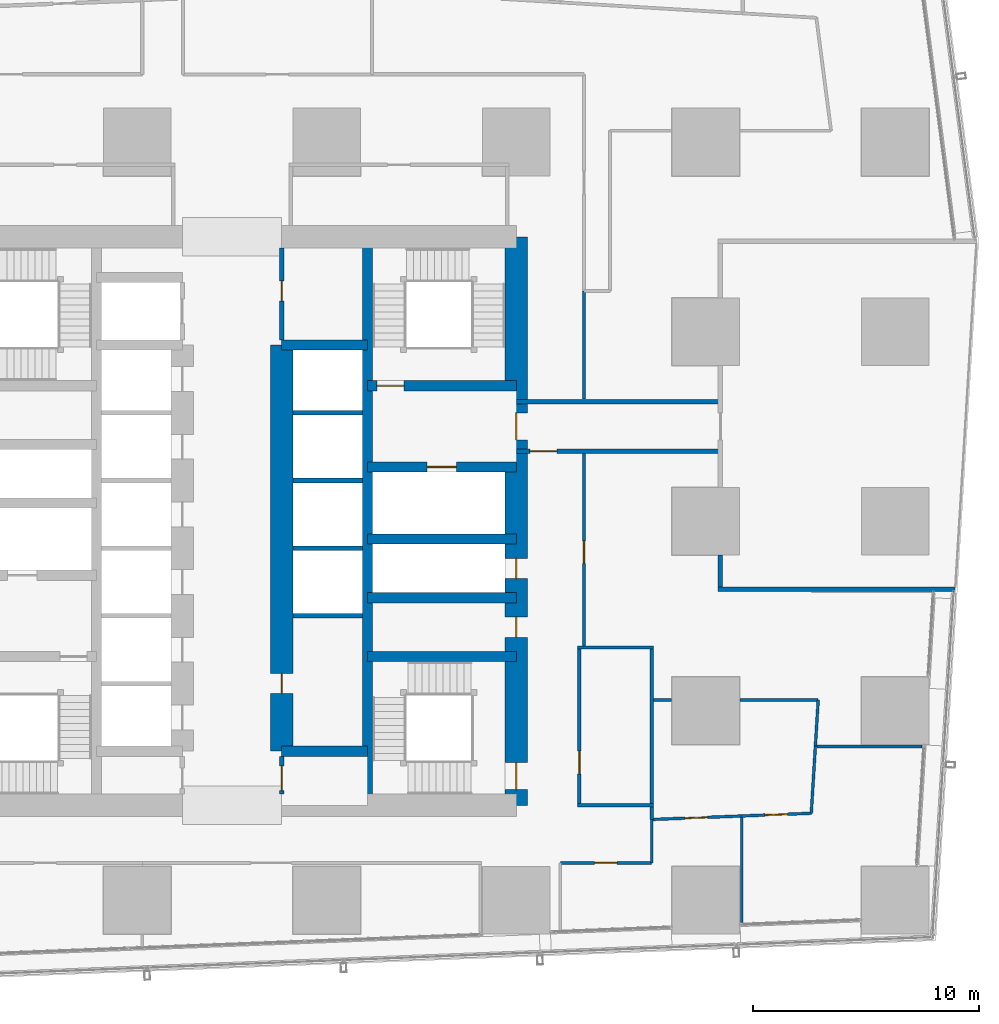
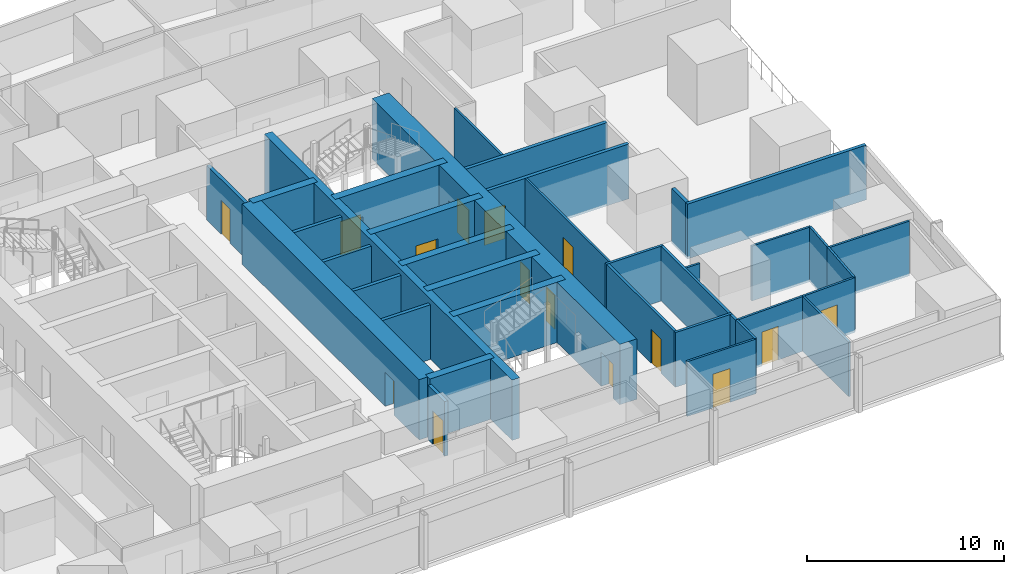
# One storey, part 28 of 38: 37 walls, 15 doors, 15 openings.
"""IFC4 building model written with IfcOpenShell, lengths in metres."""

from ifc_helpers import new_model, si_unit, direction, frame, frame_2d, origin, place, context, subcontext, project, spatial, rectangle, extrude, material, layer, layer_set, type_object, element, fill, save


model = new_model("IFC4")

# Units and contexts
model_context = context("Model", 3, precision=1e-05, world=origin(), true_north=direction((0.0, 1.0)))
body_context = subcontext(model_context, "Body", "Model", "MODEL_VIEW")
ifc_project = project(units=[si_unit("LENGTHUNIT", "METRE"), si_unit("AREAUNIT", "SQUARE_METRE"), si_unit("VOLUMEUNIT", "CUBIC_METRE"), si_unit("PLANEANGLEUNIT", "RADIAN"), si_unit("MASSUNIT", "GRAM", prefix="KILO")], contexts=[model_context])

# Site, building, storey
site_placement = place(None, origin())
site = spatial("IfcSite", under=ifc_project, at=site_placement, CompositionType="ELEMENT")
building_placement = place(site_placement, origin())
building = spatial("IfcBuilding", under=site, at=building_placement, Name="Rekha Terrace Tower", CompositionType="ELEMENT")
storey_placement = place(building_placement, frame((0.0, 0.0, 159.050048828125)))
storey = spatial("IfcBuildingStorey", under=building, at=storey_placement, Name="L40", CompositionType="ELEMENT", Elevation=159.050048828125)

# Walls
ifc_material_1 = material(Name="Concrete M70", Category="concrete")
ifc_layer_1 = layer(ifc_material_1, 0.449951171875)
ifc_layer_set_1 = layer_set([ifc_layer_1], Name="Concrete M70")
wall_type_1 = type_object("IfcWallType", Name="CI2 450 core internal shear wall", PredefinedType="SHEAR", material=ifc_layer_set_1)
wall_1_placement = place(storey_placement, frame((43.800048828125, 21.0, 0.0), z_axis=(0.0, 0.0, 1.0), x_axis=(0.0, 1.0, 0.0)))
element("IfcWall", 1, at=wall_1_placement, inside=storey, type_object=wall_type_1, Name="Core wall X438 L40", PredefinedType="SHEAR", context=body_context, shape_type="SweptSolid", body=[
    extrude(rectangle(XDim=25.199951171875, YDim=0.449951171875, at=frame_2d((12.60009765625, 0.0))), origin(), (0.0, 0.0, 1.0), 3.75),
])
for number, where, z_axis, x_axis, name in (
    (2, (40.0, 23.39990234375, 0.0), (0.0, 0.0, 1.0), (1.0, 0.0, 0.0), "Core wall Y234E L40"),
    (3, (40.0, 41.39990234375, 0.0), (0.0, 0.0, 1.0), (1.0, 0.0, 0.0), "Core wall Y414E L40"),
):
    element("IfcWall", number, at=place(storey_placement, frame(where, z_axis=z_axis, x_axis=x_axis)), inside=storey, type_object=wall_type_1, Name=name, PredefinedType="SHEAR", context=body_context, shape_type="SweptSolid", body=[
        extrude(rectangle(XDim=3.800048828125, YDim=0.449951171875, at=frame_2d((1.89990234375, 0.0))), origin(), (0.0, 0.0, 1.0), 3.75),
    ])
for number, where, z_axis, x_axis, name in (
    (4, (43.800048828125, 27.60009765625, 0.0), (0.0, 0.0, 1.0), (1.0, 0.0, 0.0), "Core wall Y276E L40"),
    (5, (43.800048828125, 30.199951171875, 0.0), (0.0, 0.0, 1.0), (1.0, 0.0, 0.0), "Core wall Y302E L40"),
    (6, (43.800048828125, 32.800048828125, 0.0), (0.0, 0.0, 1.0), (1.0, 0.0, 0.0), "Core wall Y328E L40"),
):
    element("IfcWall", number, at=place(storey_placement, frame(where, z_axis=z_axis, x_axis=x_axis)), inside=storey, type_object=wall_type_1, Name=name, PredefinedType="SHEAR", context=body_context, shape_type="SweptSolid", body=[
        extrude(rectangle(XDim=6.599853515625, YDim=0.449951171875, at=frame_2d((3.2998046875, 0.0))), origin(), (0.0, 0.0, 1.0), 3.75),
    ])

# Wall, opening, door
wall_2_placement = place(storey_placement, frame((43.800048828125, 36.0, 0.0), z_axis=(0.0, 0.0, 1.0), x_axis=(1.0, 0.0, 0.0)))
wall_2 = element("IfcWall", 7, at=wall_2_placement, inside=storey, type_object=wall_type_1, Name="Core wall Y360E L40", PredefinedType="SHEAR", context=body_context, shape_type="SweptSolid", body=[
    extrude(rectangle(XDim=6.599853515625, YDim=0.449951171875, at=frame_2d((3.2998046875, 0.0))), origin(), (0.0, 0.0, 1.0), 3.75),
])
opening_1_placement = place(wall_2_placement, frame((2.64990234375, 0.0, 0.0)))
opening_1 = element("IfcOpeningElement", 8, at=opening_1_placement, cuts=wall_2, Name="Opening LD2", PredefinedType="OPENING", context=body_context, shape_type="SweptSolid", body=[
    extrude(rectangle(XDim=1.300048828125, YDim=2.10009765625, at=frame_2d((0.64990234375, 1.050048828125))), frame((0.0, 0.23486328125, 0.0), z_axis=(0.0, -1.0, 0.0), x_axis=(1.0, 0.0, 0.0)), (0.0, 0.0, 1.0), 0.469970703125),
])
ifc_material_2 = material(Name="Stainless steel sliding landing door", Category="steel")
door_type_1 = type_object("IfcDoorType", Name="LD2 1300x2100 fire lift landing door", OperationType="SLIDING_TO_LEFT", PredefinedType="USERDEFINED", material=ifc_material_2)
door_1_placement = place(opening_1_placement, origin())
door_1 = element("IfcDoor", 9, at=door_1_placement, inside=storey, type_object=door_type_1, Name="Lift FL2 landing door L40", ObjectType="LIFT LANDING DOOR", OperationType="SLIDING_TO_LEFT", OverallHeight=2.10009765625, OverallWidth=1.300048828125, PredefinedType="USERDEFINED", context=body_context, shape_type="SweptSolid", body=[
    extrude(rectangle(XDim=1.300048828125, YDim=2.10009765625, at=frame_2d((0.64990234375, 1.050048828125))), frame((0.0, 0.02490234375, 0.0), z_axis=(0.0, -1.0, 0.0), x_axis=(1.0, 0.0, 0.0)), (0.0, 0.0, 1.0), 0.050048828125),
])
fill(opening_1, door_1)

wall_3_placement = place(storey_placement, frame((43.800048828125, 39.60009765625, 0.0), z_axis=(0.0, 0.0, 1.0), x_axis=(1.0, 0.0, 0.0)))
wall_3 = element("IfcWall", 10, at=wall_3_placement, inside=storey, type_object=wall_type_1, Name="Core wall Y396E L40", PredefinedType="SHEAR", context=body_context, shape_type="SweptSolid", body=[
    extrude(rectangle(XDim=6.599853515625, YDim=0.449951171875, at=frame_2d((3.2998046875, 0.0))), origin(), (0.0, 0.0, 1.0), 3.75),
])
opening_2_placement = place(wall_3_placement, frame((0.425048828125, 0.0, 0.0)))
opening_2 = element("IfcOpeningElement", 11, at=opening_2_placement, cuts=wall_3, Name="Opening D1", PredefinedType="OPENING", context=body_context, shape_type="SweptSolid", body=[
    extrude(rectangle(XDim=1.199951171875, YDim=2.10009765625, at=frame_2d((0.60009765625, 1.050048828125))), frame((0.0, 0.23486328125, 0.0), z_axis=(0.0, -1.0, 0.0), x_axis=(1.0, 0.0, 0.0)), (0.0, 0.0, 1.0), 0.469970703125),
])
ifc_material_3 = material(Name="Steel fire door", Category="steel")
door_type_2 = type_object("IfcDoorType", Name="D1 1200x2100 stair fire door", OperationType="SINGLE_SWING_RIGHT", PredefinedType="DOOR", material=ifc_material_3)
door_2_placement = place(opening_2_placement, origin())
door_2 = element("IfcDoor", 12, at=door_2_placement, inside=storey, type_object=door_type_2, Name="Stair ST2 door L40", OperationType="SINGLE_SWING_RIGHT", OverallHeight=2.10009765625, OverallWidth=1.199951171875, PredefinedType="DOOR", context=body_context, shape_type="SweptSolid", body=[
    extrude(rectangle(XDim=1.199951171875, YDim=2.10009765625, at=frame_2d((0.60009765625, 1.050048828125))), frame((0.0, 0.02490234375, 0.0), z_axis=(0.0, -1.0, 0.0), x_axis=(1.0, 0.0, 0.0)), (0.0, 0.0, 1.0), 0.050048828125),
])
fill(opening_2, door_2)

ifc_layer_2 = layer(ifc_material_1, 1.0)
ifc_layer_set_2 = layer_set([ifc_layer_2], Name="Concrete M70")
wall_type_2 = type_object("IfcWallType", Name="LW2 1000 core lobby wall at an outrigger level", PredefinedType="SHEAR", material=ifc_layer_set_2)
wall_4_placement = place(storey_placement, frame((40.0, 23.39990234375, 0.0), z_axis=(0.0, 0.0, 1.0), x_axis=(0.0, 1.0, 0.0)))
wall_4 = element("IfcWall", 13, at=wall_4_placement, inside=storey, type_object=wall_type_2, Name="Core wall X400 L40", PredefinedType="SHEAR", context=body_context, shape_type="SweptSolid", body=[
    extrude(rectangle(XDim=18.0, YDim=1.0, at=frame_2d((9.0, 0.0))), origin(), (0.0, 0.0, 1.0), 3.75),
])
opening_3_placement = place(wall_4_placement, frame((2.550048828125, 0.0, 0.0)))
opening_3 = element("IfcOpeningElement", 14, at=opening_3_placement, cuts=wall_4, Name="Opening D5", PredefinedType="OPENING", context=body_context, shape_type="SweptSolid", body=[
    extrude(rectangle(XDim=0.89990234375, YDim=2.10009765625, at=frame_2d((0.449951171875, 1.050048828125))), frame((0.0, 0.510009765625, 0.0), z_axis=(0.0, -1.0, 0.0), x_axis=(1.0, 0.0, 0.0)), (0.0, 0.0, 1.0), 1.02001953125),
])
door_type_3 = type_object("IfcDoorType", Name="D5 900x2100 riser access door", OperationType="SINGLE_SWING_LEFT", PredefinedType="DOOR", material=ifc_material_3)
door_3_placement = place(opening_3_placement, origin())
door_3 = element("IfcDoor", 15, at=door_3_placement, inside=storey, type_object=door_type_3, Name="Door back-of-house store L40", OperationType="SINGLE_SWING_LEFT", OverallHeight=2.10009765625, OverallWidth=0.89990234375, PredefinedType="DOOR", context=body_context, shape_type="SweptSolid", body=[
    extrude(rectangle(XDim=0.89990234375, YDim=2.10009765625, at=frame_2d((0.449951171875, 1.050048828125))), frame((0.0, 0.02490234375, 0.0), z_axis=(0.0, -1.0, 0.0), x_axis=(1.0, 0.0, 0.0)), (0.0, 0.0, 1.0), 0.050048828125),
])
fill(opening_3, door_3)

# Wall, openings, doors
ifc_layer_3 = layer(ifc_material_1, 1.0)
ifc_layer_set_3 = layer_set([ifc_layer_3], Name="Concrete M70")
wall_type_3 = type_object("IfcWallType", Name="SW2 1000 core outer shear wall", PredefinedType="SHEAR", material=ifc_layer_set_3)
wall_5_placement = place(storey_placement, frame((50.39990234375, 21.0, 0.0), z_axis=(0.0, 0.0, 1.0), x_axis=(0.0, 1.0, 0.0)))
wall_5 = element("IfcWall", 16, at=wall_5_placement, inside=storey, type_object=wall_type_3, Name="Core wall E L40", PredefinedType="SHEAR", context=body_context, shape_type="SweptSolid", body=[
    extrude(rectangle(XDim=25.199951171875, YDim=1.0, at=frame_2d((12.60009765625, 0.0))), origin(), (0.0, 0.0, 1.0), 3.75),
])
opening_4_placement = place(wall_5_placement, frame((16.199951171875, 0.0, 0.0)))
opening_4 = element("IfcOpeningElement", 17, at=opening_4_placement, cuts=wall_5, Name="Opening D2", PredefinedType="OPENING", context=body_context, shape_type="SweptSolid", body=[
    extrude(rectangle(XDim=1.199951171875, YDim=2.10009765625, at=frame_2d((0.60009765625, 1.050048828125))), frame((0.0, 0.510009765625, 0.0), z_axis=(0.0, -1.0, 0.0), x_axis=(1.0, 0.0, 0.0)), (0.0, 0.0, 1.0), 1.02001953125),
])
opening_5_placement = place(wall_5_placement, frame((10.050048828125, 0.0, 0.0)))
opening_5 = element("IfcOpeningElement", 18, at=opening_5_placement, cuts=wall_5, Name="Opening D5", PredefinedType="OPENING", context=body_context, shape_type="SweptSolid", body=[
    extrude(rectangle(XDim=0.89990234375, YDim=2.10009765625, at=frame_2d((0.449951171875, 1.050048828125))), frame((0.0, 0.510009765625, 0.0), z_axis=(0.0, -1.0, 0.0), x_axis=(1.0, 0.0, 0.0)), (0.0, 0.0, 1.0), 1.02001953125),
])
opening_6_placement = place(wall_5_placement, frame((7.449951171875, 0.0, 0.0)))
opening_6 = element("IfcOpeningElement", 19, at=opening_6_placement, cuts=wall_5, Name="Opening D5", PredefinedType="OPENING", context=body_context, shape_type="SweptSolid", body=[
    extrude(rectangle(XDim=0.89990234375, YDim=2.10009765625, at=frame_2d((0.449951171875, 1.050048828125))), frame((0.0, 0.510009765625, 0.0), z_axis=(0.0, -1.0, 0.0), x_axis=(1.0, 0.0, 0.0)), (0.0, 0.0, 1.0), 1.02001953125),
])
opening_7_placement = place(wall_5_placement, frame((0.699951171875, 0.0, 0.0)))
opening_7 = element("IfcOpeningElement", 20, at=opening_7_placement, cuts=wall_5, Name="Opening D1", PredefinedType="OPENING", context=body_context, shape_type="SweptSolid", body=[
    extrude(rectangle(XDim=1.199951171875, YDim=2.10009765625, at=frame_2d((0.60009765625, 1.050048828125))), frame((0.0, 0.510009765625, 0.0), z_axis=(0.0, -1.0, 0.0), x_axis=(1.0, 0.0, 0.0)), (0.0, 0.0, 1.0), 1.02001953125),
])
door_4_placement = place(opening_7_placement, origin())
door_4 = element("IfcDoor", 21, at=door_4_placement, inside=storey, type_object=door_type_2, Name="Stair ST3 door L40", OperationType="SINGLE_SWING_RIGHT", OverallHeight=2.10009765625, OverallWidth=1.199951171875, PredefinedType="DOOR", context=body_context, shape_type="SweptSolid", body=[
    extrude(rectangle(XDim=1.199951171875, YDim=2.10009765625, at=frame_2d((0.60009765625, 1.050048828125))), frame((0.0, 0.02490234375, 0.0), z_axis=(0.0, -1.0, 0.0), x_axis=(1.0, 0.0, 0.0)), (0.0, 0.0, 1.0), 0.050048828125),
])
fill(opening_7, door_4)
door_type_4 = type_object("IfcDoorType", Name="D2 1200x2100 firefighting lobby door", OperationType="SINGLE_SWING_LEFT", PredefinedType="DOOR", material=ifc_material_3)
door_5_placement = place(opening_4_placement, origin())
door_5 = element("IfcDoor", 22, at=door_5_placement, inside=storey, type_object=door_type_4, Name="Door flb2 L40", OperationType="SINGLE_SWING_LEFT", OverallHeight=2.10009765625, OverallWidth=1.199951171875, PredefinedType="DOOR", context=body_context, shape_type="SweptSolid", body=[
    extrude(rectangle(XDim=1.199951171875, YDim=2.10009765625, at=frame_2d((0.60009765625, 1.050048828125))), frame((0.0, 0.02490234375, 0.0), z_axis=(0.0, -1.0, 0.0), x_axis=(1.0, 0.0, 0.0)), (0.0, 0.0, 1.0), 0.050048828125),
])
fill(opening_4, door_5)
door_6_placement = place(opening_5_placement, origin())
door_6 = element("IfcDoor", 23, at=door_6_placement, inside=storey, type_object=door_type_3, Name="Door rs2 L40", OperationType="SINGLE_SWING_LEFT", OverallHeight=2.10009765625, OverallWidth=0.89990234375, PredefinedType="DOOR", context=body_context, shape_type="SweptSolid", body=[
    extrude(rectangle(XDim=0.89990234375, YDim=2.10009765625, at=frame_2d((0.449951171875, 1.050048828125))), frame((0.0, 0.02490234375, 0.0), z_axis=(0.0, -1.0, 0.0), x_axis=(1.0, 0.0, 0.0)), (0.0, 0.0, 1.0), 0.050048828125),
])
fill(opening_5, door_6)
door_7_placement = place(opening_6_placement, origin())
door_7 = element("IfcDoor", 24, at=door_7_placement, inside=storey, type_object=door_type_3, Name="Door ele L40", OperationType="SINGLE_SWING_LEFT", OverallHeight=2.10009765625, OverallWidth=0.89990234375, PredefinedType="DOOR", context=body_context, shape_type="SweptSolid", body=[
    extrude(rectangle(XDim=0.89990234375, YDim=2.10009765625, at=frame_2d((0.449951171875, 1.050048828125))), frame((0.0, 0.02490234375, 0.0), z_axis=(0.0, -1.0, 0.0), x_axis=(1.0, 0.0, 0.0)), (0.0, 0.0, 1.0), 0.050048828125),
])
fill(opening_6, door_7)

# Walls
ifc_material_4 = material(Name="Concrete block masonry, 1 hour", Category="masonry")
ifc_layer_4 = layer(ifc_material_4, 0.14990234375)
ifc_layer_set_4 = layer_set([ifc_layer_4], Name="Concrete block masonry, 1 hour")
wall_type_4 = type_object("IfcWallType", Name="WP2 150 tenancy partition", PredefinedType="PARTITIONING", material=ifc_layer_set_4)
for number, where, z_axis, x_axis, name in (
    (25, (53.125, 21.0, 0.0), (0.0, 0.0, 1.0), (1.0, 0.0, 0.0), "Men's WC wall L40"),
    (26, (53.125, 28.0, 0.0), (0.0, 0.0, 1.0), (1.0, 0.0, 0.0), "Men's WC wall L40"),
):
    element("IfcWall", number, at=place(storey_placement, frame(where, z_axis=z_axis, x_axis=x_axis)), inside=storey, type_object=wall_type_4, Name=name, PredefinedType="PARTITIONING", context=body_context, shape_type="SweptSolid", body=[
        extrude(rectangle(XDim=3.35009765625, YDim=0.14990234375, at=frame_2d((1.675048828125, 0.0))), origin(), (0.0, 0.0, 1.0), 3.39990234375),
    ])

# Wall, opening, door
wall_6_placement = place(storey_placement, frame((53.199951171875, 21.074951171875, 0.0), z_axis=(0.0, 0.0, 1.0), x_axis=(0.0, 1.0, 0.0)))
wall_6 = element("IfcWall", 27, at=wall_6_placement, inside=storey, type_object=wall_type_4, Name="Men's WC wall L40", PredefinedType="PARTITIONING", context=body_context, shape_type="SweptSolid", body=[
    extrude(rectangle(XDim=6.85009765625, YDim=0.14990234375, at=frame_2d((3.425048828125, 0.0))), origin(), (0.0, 0.0, 1.0), 3.39990234375),
])
opening_8_placement = place(wall_6_placement, frame((1.324951171875, 0.0, 0.0)))
opening_8 = element("IfcOpeningElement", 28, at=opening_8_placement, cuts=wall_6, Name="Opening D3", PredefinedType="OPENING", context=body_context, shape_type="SweptSolid", body=[
    extrude(rectangle(XDim=1.0, YDim=2.10009765625, at=frame_2d((0.5, 1.050048828125))), frame((0.0, 0.0849609375, 0.0), z_axis=(0.0, -1.0, 0.0), x_axis=(1.0, 0.0, 0.0)), (0.0, 0.0, 1.0), 0.169921875),
])
ifc_material_5 = material(Name="Laminated timber fire door", Category="wood")
door_type_5 = type_object("IfcDoorType", Name="D3 1000x2100 WC door", OperationType="SINGLE_SWING_LEFT", PredefinedType="DOOR", material=ifc_material_5)
door_8_placement = place(opening_8_placement, origin())
door_8 = element("IfcDoor", 29, at=door_8_placement, inside=storey, type_object=door_type_5, Name="Door men's wc L40", OperationType="SINGLE_SWING_LEFT", OverallHeight=2.10009765625, OverallWidth=1.0, PredefinedType="DOOR", context=body_context, shape_type="SweptSolid", body=[
    extrude(rectangle(XDim=1.0, YDim=2.10009765625, at=frame_2d((0.5, 1.050048828125))), frame((0.0, 0.02490234375, 0.0), z_axis=(0.0, -1.0, 0.0), x_axis=(1.0, 0.0, 0.0)), (0.0, 0.0, 1.0), 0.050048828125),
])
fill(opening_8, door_8)

# Walls
wall_7_placement = place(storey_placement, frame((56.39990234375, 21.074951171875, 0.0), z_axis=(0.0, 0.0, 1.0), x_axis=(0.0, 1.0, 0.0)))
element("IfcWall", 30, at=wall_7_placement, inside=storey, type_object=wall_type_4, Name="Men's WC wall L40", PredefinedType="PARTITIONING", context=body_context, shape_type="SweptSolid", body=[
    extrude(rectangle(XDim=6.85009765625, YDim=0.14990234375, at=frame_2d((3.425048828125, 0.0))), origin(), (0.0, 0.0, 1.0), 3.39990234375),
])
wall_8_placement = place(storey_placement, frame((56.39990234375, 20.3740234375, 0.0), z_axis=(0.0, 0.0, 1.0), x_axis=(0.0, 1.0, 0.0)))
element("IfcWall", 31, at=wall_8_placement, inside=storey, type_object=wall_type_4, Name="Partition L40-O3c", PredefinedType="PARTITIONING", context=body_context, shape_type="SweptSolid", body=[
    extrude(rectangle(XDim=0.551025390625, YDim=0.14990234375, at=frame_2d((0.275390625, 0.0))), origin(), (0.0, 0.0, 1.0), 3.39990234375),
])
ifc_material_6 = material(Name="Two layers of fire-rated gypsum board each side on steel studs, acoustic quilt, 1 hour", Category="steel")
ifc_layer_5 = layer(ifc_material_6, 0.125)
ifc_layer_set_5 = layer_set([ifc_layer_5], Name="Two layers of fire-rated gypsum board each side on steel studs, acoustic quilt, 1 hour")
wall_type_5 = type_object("IfcWallType", Name="WP3 125 office partition", PredefinedType="PARTITIONING", material=ifc_layer_set_5)
wall_9_placement = place(storey_placement, frame((53.39990234375, 39.010986328125, 0.0), z_axis=(0.0, 0.0, 1.0), x_axis=(0.0, 1.0, 0.0)))
element("IfcWall", 32, at=wall_9_placement, inside=storey, type_object=wall_type_5, Name="Partition L40-02", PredefinedType="PARTITIONING", context=body_context, shape_type="SweptSolid", body=[
    extrude(rectangle(XDim=4.7900390625, YDim=0.125, at=frame_2d((2.39501953125, 0.0))), origin(), (0.0, 0.0, 1.0), 3.39990234375),
])

# Wall, opening, door
wall_10_placement = place(storey_placement, frame((52.35009765625, 18.449951171875, 0.0), z_axis=(0.0, 0.0, 1.0), x_axis=(1.0, 0.0, 0.0)))
wall_10 = element("IfcWall", 33, at=wall_10_placement, inside=storey, type_object=wall_type_5, Name="Partition L40-10", PredefinedType="PARTITIONING", context=body_context, shape_type="SweptSolid", body=[
    extrude(rectangle(XDim=4.0498046875, YDim=0.125, at=frame_2d((2.02490234375, 0.0))), origin(), (0.0, 0.0, 1.0), 3.39990234375),
])
opening_9_placement = place(wall_10_placement, frame((1.52490234375, 0.0, 0.0)))
opening_9 = element("IfcOpeningElement", 34, at=opening_9_placement, cuts=wall_10, Name="Opening D9", PredefinedType="OPENING", context=body_context, shape_type="SweptSolid", body=[
    extrude(rectangle(XDim=1.0, YDim=2.10009765625, at=frame_2d((0.5, 1.050048828125))), frame((0.0, 0.072509765625, 0.0), z_axis=(0.0, -1.0, 0.0), x_axis=(1.0, 0.0, 0.0)), (0.0, 0.0, 1.0), 0.14501953125),
])
ifc_material_7 = material(Name="Timber fire door", Category="wood")
door_type_6 = type_object("IfcDoorType", Name="D9 1000x2100 office door", OperationType="SINGLE_SWING_LEFT", PredefinedType="DOOR", material=ifc_material_7)
door_9_placement = place(opening_9_placement, origin())
door_9 = element("IfcDoor", 35, at=door_9_placement, inside=storey, type_object=door_type_6, Name="Door quiet room L40", OperationType="SINGLE_SWING_LEFT", OverallHeight=2.10009765625, OverallWidth=1.0, PredefinedType="DOOR", context=body_context, shape_type="SweptSolid", body=[
    extrude(rectangle(XDim=1.0, YDim=2.10009765625, at=frame_2d((0.5, 1.050048828125))), frame((0.0, 0.02490234375, 0.0), z_axis=(0.0, -1.0, 0.0), x_axis=(1.0, 0.0, 0.0)), (0.0, 0.0, 1.0), 0.050048828125),
])
fill(opening_9, door_9)

# Wall
wall_11_placement = place(storey_placement, frame((56.402099609375, 18.449951171875, 0.0), z_axis=(0.0, 0.0, 1.0), x_axis=(0.0, 1.0, 0.0)))
element("IfcWall", 36, at=wall_11_placement, inside=storey, type_object=wall_type_5, Name="Partition L40-11", PredefinedType="PARTITIONING", context=body_context, shape_type="SweptSolid", body=[
    extrude(rectangle(XDim=1.924072265625, YDim=0.125, at=frame_2d((0.9619140625, 0.0))), origin(), (0.0, 0.0, 1.0), 3.39990234375),
])

# Wall, opening, door
wall_12_placement = place(storey_placement, frame((56.402099609375, 20.3740234375, 0.0), z_axis=(0.0, 0.0, 1.0), x_axis=(0.999241819363, 0.03893310207, 0.0)))
wall_12 = element("IfcWall", 37, at=wall_12_placement, inside=storey, type_object=wall_type_5, Name="Partition L40-11", PredefinedType="PARTITIONING", context=body_context, shape_type="SweptSolid", body=[
    extrude(rectangle(XDim=3.956787109375, YDim=0.125, at=frame_2d((1.978515625, 0.0))), origin(), (0.0, 0.0, 1.0), 3.39990234375),
])
opening_10_placement = place(wall_12_placement, frame((1.47802734375, 0.0, 0.0)))
opening_10 = element("IfcOpeningElement", 38, at=opening_10_placement, cuts=wall_12, Name="Opening D9", PredefinedType="OPENING", context=body_context, shape_type="SweptSolid", body=[
    extrude(rectangle(XDim=1.0, YDim=2.10009765625, at=frame_2d((0.5, 1.050048828125))), frame((0.0, 0.072509765625, 0.0), z_axis=(0.0, -1.0, 0.0), x_axis=(1.0, 0.0, 0.0)), (0.0, 0.0, 1.0), 0.14501953125),
])
door_10_placement = place(opening_10_placement, origin())
door_10 = element("IfcDoor", 39, at=door_10_placement, inside=storey, type_object=door_type_6, Name="Door meeting room L40", OperationType="SINGLE_SWING_LEFT", OverallHeight=2.10009765625, OverallWidth=1.0, PredefinedType="DOOR", context=body_context, shape_type="SweptSolid", body=[
    extrude(rectangle(XDim=1.0, YDim=2.10009765625, at=frame_2d((0.5, 1.050048828125))), frame((0.0, 0.02490234375, 0.0), z_axis=(0.0, -1.0, 0.0), x_axis=(1.0, 0.0, 0.0)), (0.0, 0.0, 1.0), 0.050048828125),
])
fill(opening_10, door_10)

# Walls
wall_13_placement = place(storey_placement, frame((60.39208984375, 20.467041015625, 0.0), z_axis=(0.0, 0.0, 1.0), x_axis=(0.0, -1.0, 0.0)))
element("IfcWall", 40, at=wall_13_placement, inside=storey, type_object=wall_type_5, Name="Partition L40-11", PredefinedType="PARTITIONING", context=body_context, shape_type="SweptSolid", body=[
    extrude(rectangle(XDim=4.6611328125, YDim=0.125, at=frame_2d((2.33056640625, 0.0))), origin(), (0.0, 0.0, 1.0), 3.39990234375),
])
wall_14_placement = place(storey_placement, frame((63.719970703125, 23.60693359375, 0.0), z_axis=(0.0, 0.0, 1.0), x_axis=(1.0, 0.0, 0.0)))
element("IfcWall", 41, at=wall_14_placement, inside=storey, type_object=wall_type_5, Name="Partition L40-12", PredefinedType="PARTITIONING", context=body_context, shape_type="SweptSolid", body=[
    extrude(rectangle(XDim=4.666015625, YDim=0.125, at=frame_2d((2.3330078125, 0.0))), origin(), (0.0, 0.0, 1.0), 3.39990234375),
])

# Wall, opening, door
wall_15_placement = place(storey_placement, frame((60.35693359375, 20.528076171875, 0.0), z_axis=(0.0, 0.0, 1.0), x_axis=(0.999238123198, 0.03902785093, 0.0)))
wall_15 = element("IfcWall", 42, at=wall_15_placement, inside=storey, type_object=wall_type_5, Name="Partition L40-12", PredefinedType="PARTITIONING", context=body_context, shape_type="SweptSolid", body=[
    extrude(rectangle(XDim=3.12158203125, YDim=0.125, at=frame_2d((1.560791015625, 0.0))), origin(), (0.0, 0.0, 1.0), 3.39990234375),
])
opening_11_placement = place(wall_15_placement, frame((1.06103515625, 0.0, 0.0)))
opening_11 = element("IfcOpeningElement", 43, at=opening_11_placement, cuts=wall_15, Name="Opening D9", PredefinedType="OPENING", context=body_context, shape_type="SweptSolid", body=[
    extrude(rectangle(XDim=1.0, YDim=2.10009765625, at=frame_2d((0.5, 1.050048828125))), frame((0.0, 0.072509765625, 0.0), z_axis=(0.0, -1.0, 0.0), x_axis=(1.0, 0.0, 0.0)), (0.0, 0.0, 1.0), 0.14501953125),
])
door_11_placement = place(opening_11_placement, origin())
door_11 = element("IfcDoor", 44, at=door_11_placement, inside=storey, type_object=door_type_6, Name="Door director's office L40", OperationType="SINGLE_SWING_LEFT", OverallHeight=2.10009765625, OverallWidth=1.0, PredefinedType="DOOR", context=body_context, shape_type="SweptSolid", body=[
    extrude(rectangle(XDim=1.0, YDim=2.10009765625, at=frame_2d((0.5, 1.050048828125))), frame((0.0, 0.02490234375, 0.0), z_axis=(0.0, -1.0, 0.0), x_axis=(1.0, 0.0, 0.0)), (0.0, 0.0, 1.0), 0.050048828125),
])
fill(opening_11, door_11)

# Walls
wall_16_placement = place(storey_placement, frame((63.47607421875, 20.64990234375, 0.0), z_axis=(0.0, 0.0, 1.0), x_axis=(0.061018961694, 0.99813660704, 0.0)))
element("IfcWall", 45, at=wall_16_placement, inside=storey, type_object=wall_type_5, Name="Partition L40-12", PredefinedType="PARTITIONING", context=body_context, shape_type="SweptSolid", body=[
    extrude(rectangle(XDim=2.996826171875, YDim=0.125, at=frame_2d((1.49853515625, 0.0))), origin(), (0.0, 0.0, 1.0), 3.39990234375),
])
wall_17_placement = place(storey_placement, frame((63.658935546875, 23.64208984375, 0.0), z_axis=(0.0, 0.0, 1.0), x_axis=(0.061312146847, 0.998118640568, 0.0)))
element("IfcWall", 46, at=wall_17_placement, inside=storey, type_object=wall_type_5, Name="Partition L40-13", PredefinedType="PARTITIONING", context=body_context, shape_type="SweptSolid", body=[
    extrude(rectangle(XDim=2.038818359375, YDim=0.125, at=frame_2d((1.01953125, 0.0))), origin(), (0.0, 0.0, 1.0), 3.39990234375),
])
wall_18_placement = place(storey_placement, frame((63.783935546875, 25.677001953125, 0.0), z_axis=(0.0, 0.0, 1.0), x_axis=(-1.0, 0.0, 0.0)))
element("IfcWall", 47, at=wall_18_placement, inside=storey, type_object=wall_type_5, Name="Partition L40-13", PredefinedType="PARTITIONING", context=body_context, shape_type="SweptSolid", body=[
    extrude(rectangle(XDim=3.4638671875, YDim=0.125, at=frame_2d((1.73193359375, 0.0))), origin(), (0.0, 0.0, 1.0), 3.39990234375),
])
wall_19_placement = place(storey_placement, frame((57.280029296875, 25.677001953125, 0.0), z_axis=(0.0, 0.0, 1.0), x_axis=(-1.0, 0.0, 0.0)))
element("IfcWall", 48, at=wall_19_placement, inside=storey, type_object=wall_type_5, Name="Partition L40-13", PredefinedType="PARTITIONING", context=body_context, shape_type="SweptSolid", body=[
    extrude(rectangle(XDim=0.804931640625, YDim=0.125, at=frame_2d((0.40234375, 0.0))), origin(), (0.0, 0.0, 1.0), 3.39990234375),
])

# Wall, opening, door
wall_20_placement = place(storey_placement, frame((53.39990234375, 28.074951171875, 0.0), z_axis=(0.0, 0.0, 1.0), x_axis=(0.0, 1.0, 0.0)))
wall_20 = element("IfcWall", 49, at=wall_20_placement, inside=storey, type_object=wall_type_5, Name="Partition L40-13", PredefinedType="PARTITIONING", context=body_context, shape_type="SweptSolid", body=[
    extrude(rectangle(XDim=8.51416015625, YDim=0.125, at=frame_2d((4.257080078125, 0.0))), origin(), (0.0, 0.0, 1.0), 3.39990234375),
])
opening_12_placement = place(wall_20_placement, frame((3.64892578125, 0.0, 0.0)))
opening_12 = element("IfcOpeningElement", 50, at=opening_12_placement, cuts=wall_20, Name="Opening D9", PredefinedType="OPENING", context=body_context, shape_type="SweptSolid", body=[
    extrude(rectangle(XDim=1.0, YDim=2.10009765625, at=frame_2d((0.5, 1.050048828125))), frame((0.0, 0.072509765625, 0.0), z_axis=(0.0, -1.0, 0.0), x_axis=(1.0, 0.0, 0.0)), (0.0, 0.0, 1.0), 0.14501953125),
])
door_12_placement = place(opening_12_placement, origin())
door_12 = element("IfcDoor", 51, at=door_12_placement, inside=storey, type_object=door_type_6, Name="Door director's office L40", OperationType="SINGLE_SWING_LEFT", OverallHeight=2.10009765625, OverallWidth=1.0, PredefinedType="DOOR", context=body_context, shape_type="SweptSolid", body=[
    extrude(rectangle(XDim=1.0, YDim=2.10009765625, at=frame_2d((0.5, 1.050048828125))), frame((0.0, 0.02490234375, 0.0), z_axis=(0.0, -1.0, 0.0), x_axis=(1.0, 0.0, 0.0)), (0.0, 0.0, 1.0), 0.050048828125),
])
fill(opening_12, door_12)

# Walls
ifc_material_8 = material(Name="Solid concrete block masonry, 2 hour", Category="masonry")
ifc_layer_6 = layer(ifc_material_8, 0.199951171875)
ifc_layer_set_6 = layer_set([ifc_layer_6], Name="Solid concrete block masonry, 2 hour")
wall_type_6 = type_object("IfcWallType", Name="WS1 200 stair and shaft enclosure", PredefinedType="PARTITIONING", material=ifc_layer_set_6)
for number, where, z_axis, x_axis, name in (
    (52, (40.5, 29.39990234375, 0.0), (0.0, 0.0, 1.0), (1.0, 0.0, 0.0), "Lift shaft divider L40"),
    (53, (40.5, 32.39990234375, 0.0), (0.0, 0.0, 1.0), (1.0, 0.0, 0.0), "Lift shaft divider L40"),
    (54, (40.5, 35.39990234375, 0.0), (0.0, 0.0, 1.0), (1.0, 0.0, 0.0), "Lift shaft divider L40"),
    (55, (40.5, 38.39990234375, 0.0), (0.0, 0.0, 1.0), (1.0, 0.0, 0.0), "Lift shaft divider L40"),
):
    element("IfcWall", number, at=place(storey_placement, frame(where, z_axis=z_axis, x_axis=x_axis)), inside=storey, type_object=wall_type_6, Name=name, PredefinedType="PARTITIONING", context=body_context, shape_type="SweptSolid", body=[
        extrude(rectangle(XDim=3.074951171875, YDim=0.199951171875, at=frame_2d((1.53759765625, 0.0))), origin(), (0.0, 0.0, 1.0), 3.39990234375),
    ])

# Wall, opening, door
wall_21_placement = place(storey_placement, frame((40.0, 21.5, 0.0), z_axis=(0.0, 0.0, 1.0), x_axis=(0.0, 1.0, 0.0)))
wall_21 = element("IfcWall", 56, at=wall_21_placement, inside=storey, type_object=wall_type_6, Name="Core partition wca L40", PredefinedType="PARTITIONING", context=body_context, shape_type="SweptSolid", body=[
    extrude(rectangle(XDim=1.675048828125, YDim=0.199951171875, at=frame_2d((0.83740234375, 0.0))), origin(), (0.0, 0.0, 1.0), 3.39990234375),
])
opening_13_placement = place(wall_21_placement, frame((0.14990234375, 0.0, 0.0)))
opening_13 = element("IfcOpeningElement", 57, at=opening_13_placement, cuts=wall_21, Name="Opening D4", PredefinedType="OPENING", context=body_context, shape_type="SweptSolid", body=[
    extrude(rectangle(XDim=1.10009765625, YDim=2.10009765625, at=frame_2d((0.550048828125, 1.050048828125))), frame((0.0, 0.10986328125, 0.0), z_axis=(0.0, -1.0, 0.0), x_axis=(1.0, 0.0, 0.0)), (0.0, 0.0, 1.0), 0.219970703125),
])
door_type_7 = type_object("IfcDoorType", Name="D4 1100x2100 accessible WC door", OperationType="SLIDING_TO_LEFT", PredefinedType="DOOR", material=ifc_material_5)
door_13_placement = place(opening_13_placement, origin())
door_13 = element("IfcDoor", 58, at=door_13_placement, inside=storey, type_object=door_type_7, Name="Door wca L40", OperationType="SLIDING_TO_LEFT", OverallHeight=2.10009765625, OverallWidth=1.10009765625, PredefinedType="DOOR", context=body_context, shape_type="SweptSolid", body=[
    extrude(rectangle(XDim=1.10009765625, YDim=2.10009765625, at=frame_2d((0.550048828125, 1.050048828125))), frame((0.0, 0.02490234375, 0.0), z_axis=(0.0, -1.0, 0.0), x_axis=(1.0, 0.0, 0.0)), (0.0, 0.0, 1.0), 0.050048828125),
])
fill(opening_13, door_13)

wall_22_placement = place(storey_placement, frame((40.0, 41.625, 0.0), z_axis=(0.0, 0.0, 1.0), x_axis=(0.0, 1.0, 0.0)))
wall_22 = element("IfcWall", 59, at=wall_22_placement, inside=storey, type_object=wall_type_6, Name="Core partition elec L40", PredefinedType="PARTITIONING", context=body_context, shape_type="SweptSolid", body=[
    extrude(rectangle(XDim=4.074951171875, YDim=0.199951171875, at=frame_2d((2.03759765625, 0.0))), origin(), (0.0, 0.0, 1.0), 3.39990234375),
])
opening_14_placement = place(wall_22_placement, frame((1.72509765625, 0.0, 0.0)))
opening_14 = element("IfcOpeningElement", 60, at=opening_14_placement, cuts=wall_22, Name="Opening D5", PredefinedType="OPENING", context=body_context, shape_type="SweptSolid", body=[
    extrude(rectangle(XDim=0.89990234375, YDim=2.10009765625, at=frame_2d((0.449951171875, 1.050048828125))), frame((0.0, 0.10986328125, 0.0), z_axis=(0.0, -1.0, 0.0), x_axis=(1.0, 0.0, 0.0)), (0.0, 0.0, 1.0), 0.219970703125),
])
door_14_placement = place(opening_14_placement, origin())
door_14 = element("IfcDoor", 61, at=door_14_placement, inside=storey, type_object=door_type_3, Name="Door electrical room L40", OperationType="SINGLE_SWING_LEFT", OverallHeight=2.10009765625, OverallWidth=0.89990234375, PredefinedType="DOOR", context=body_context, shape_type="SweptSolid", body=[
    extrude(rectangle(XDim=0.89990234375, YDim=2.10009765625, at=frame_2d((0.449951171875, 1.050048828125))), frame((0.0, 0.02490234375, 0.0), z_axis=(0.0, -1.0, 0.0), x_axis=(1.0, 0.0, 0.0)), (0.0, 0.0, 1.0), 0.050048828125),
])
fill(opening_14, door_14)

# Walls
wall_23_placement = place(storey_placement, frame((59.449951171875, 30.677978515625, 0.0), z_axis=(0.0, 0.0, 1.0), x_axis=(0.0, 1.0, 0.0)))
element("IfcWall", 62, at=wall_23_placement, inside=storey, type_object=wall_type_6, Name="Refuge area inner wall L40", PredefinedType="PARTITIONING", context=body_context, shape_type="SweptSolid", body=[
    extrude(rectangle(XDim=1.422119140625, YDim=0.199951171875, at=frame_2d((0.7109375, 0.0))), origin(), (0.0, 0.0, 1.0), 3.39990234375),
])
wall_24_placement = place(storey_placement, frame((59.35009765625, 30.577880859375, 0.0), z_axis=(0.0, 0.0, 1.0), x_axis=(1.0, 0.0, 0.0)))
element("IfcWall", 63, at=wall_24_placement, inside=storey, type_object=wall_type_6, Name="Refuge area south wall L40", PredefinedType="PARTITIONING", context=body_context, shape_type="SweptSolid", body=[
    extrude(rectangle(XDim=10.5048828125, YDim=0.199951171875, at=frame_2d((5.25244140625, 0.0))), origin(), (0.0, 0.0, 1.0), 3.39990234375),
])
wall_25_placement = place(storey_placement, frame((50.39990234375, 38.89990234375, 0.0), z_axis=(0.0, 0.0, 1.0), x_axis=(1.0, 0.0, 0.0)))
element("IfcWall", 64, at=wall_25_placement, inside=storey, type_object=wall_type_6, Name="Refuge corridor north wall L40", PredefinedType="PARTITIONING", context=body_context, shape_type="SweptSolid", body=[
    extrude(rectangle(XDim=9.050048828125, YDim=0.199951171875, at=frame_2d((4.52490234375, 0.0))), origin(), (0.0, 0.0, 1.0), 3.39990234375),
])

# Wall, opening, door
wall_26_placement = place(storey_placement, frame((50.39990234375, 36.699951171875, 0.0), z_axis=(0.0, 0.0, 1.0), x_axis=(1.0, 0.0, 0.0)))
wall_26 = element("IfcWall", 65, at=wall_26_placement, inside=storey, type_object=wall_type_6, Name="Refuge corridor south wall L40", PredefinedType="PARTITIONING", context=body_context, shape_type="SweptSolid", body=[
    extrude(rectangle(XDim=9.050048828125, YDim=0.199951171875, at=frame_2d((4.52490234375, 0.0))), origin(), (0.0, 0.0, 1.0), 3.39990234375),
])
opening_15_placement = place(wall_26_placement, frame((0.60009765625, 0.0, 0.0)))
opening_15 = element("IfcOpeningElement", 66, at=opening_15_placement, cuts=wall_26, Name="Opening D2", PredefinedType="OPENING", context=body_context, shape_type="SweptSolid", body=[
    extrude(rectangle(XDim=1.199951171875, YDim=2.10009765625, at=frame_2d((0.60009765625, 1.050048828125))), frame((0.0, 0.10986328125, 0.0), z_axis=(0.0, -1.0, 0.0), x_axis=(1.0, 0.0, 0.0)), (0.0, 0.0, 1.0), 0.219970703125),
])
door_15_placement = place(opening_15_placement, origin())
door_15 = element("IfcDoor", 67, at=door_15_placement, inside=storey, type_object=door_type_4, Name="Refuge corridor door L40", OperationType="SINGLE_SWING_LEFT", OverallHeight=2.10009765625, OverallWidth=1.199951171875, PredefinedType="DOOR", context=body_context, shape_type="SweptSolid", body=[
    extrude(rectangle(XDim=1.199951171875, YDim=2.10009765625, at=frame_2d((0.60009765625, 1.050048828125))), frame((0.0, 0.02490234375, 0.0), z_axis=(0.0, -1.0, 0.0), x_axis=(1.0, 0.0, 0.0)), (0.0, 0.0, 1.0), 0.050048828125),
])
fill(opening_15, door_15)

save(model, "model.ifc")
